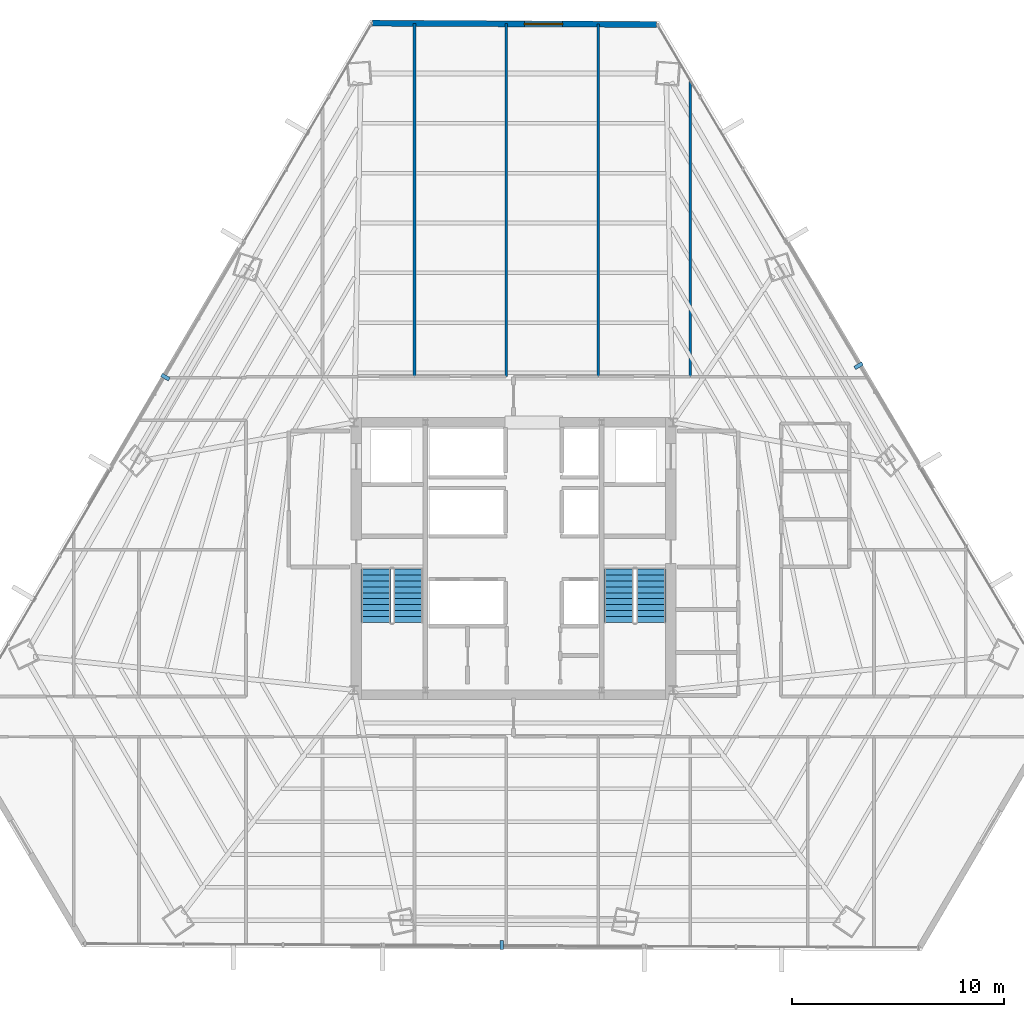
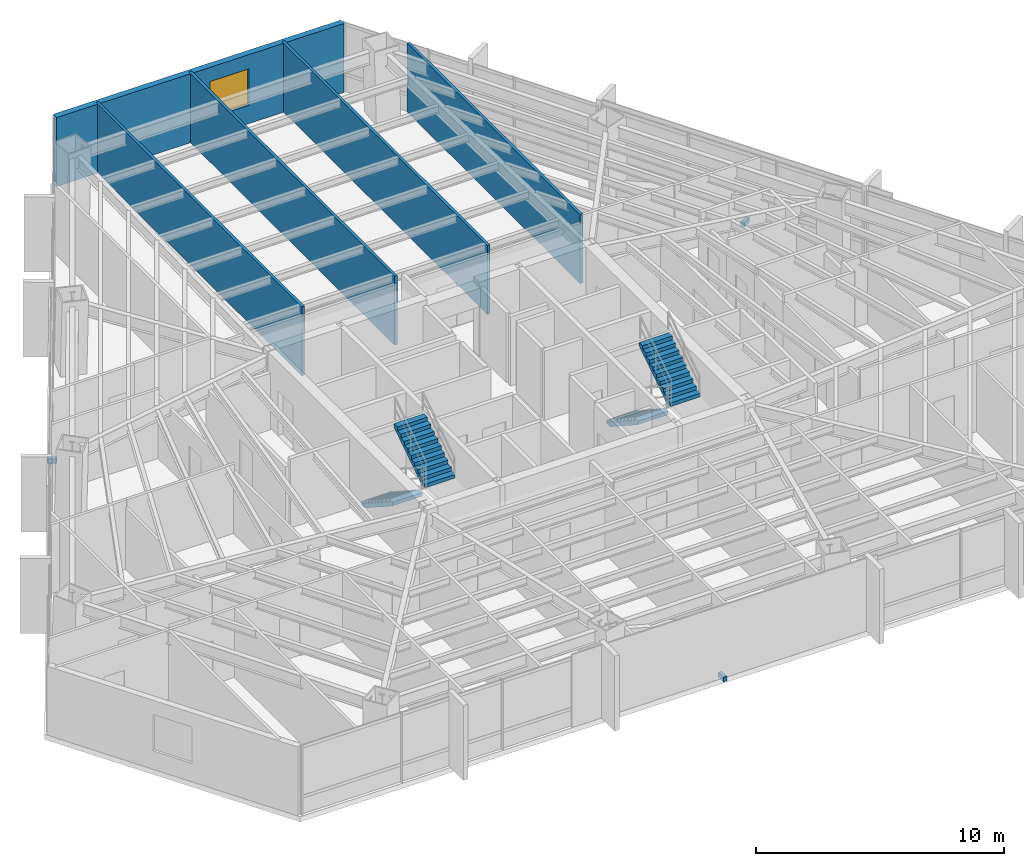
# One storey, part 33 of 36: 5 walls, 4 stair flights, 3 discrete accessories, 1 window, 1 opening, 2 elements without a shape of their own.
"""IFC4 building model written with IfcOpenShell, lengths in metres."""

from ifc_helpers import new_model, si_unit, direction, frame, frame_2d, origin, origin_2d, place, context, subcontext, project, spatial, polyline, rectangle, outline, extrude, source, transform, mapped, material, layer, layer_set, type_object, type_shapes, element, fill, aggregate, save


model = new_model("IFC4")

# Units and contexts
model_context = context("Model", 3, precision=1e-05, world=origin(), true_north=direction((0.0, 1.0)))
body_context = subcontext(model_context, "Body", "Model", "MODEL_VIEW")
ifc_project = project(units=[si_unit("LENGTHUNIT", "METRE"), si_unit("AREAUNIT", "SQUARE_METRE"), si_unit("VOLUMEUNIT", "CUBIC_METRE"), si_unit("PLANEANGLEUNIT", "RADIAN"), si_unit("MASSUNIT", "GRAM", prefix="KILO")], contexts=[model_context])

# Site, building, storey
site_placement = place(None, origin())
site = spatial("IfcSite", under=ifc_project, at=site_placement, CompositionType="ELEMENT")
building_placement = place(site_placement, origin())
building = spatial("IfcBuilding", under=site, at=building_placement, Name="Caelisora Broadcast Tower", CompositionType="ELEMENT")
storey_placement = place(building_placement, frame((0.0, 0.0, 112.699951171875)))
storey = spatial("IfcBuildingStorey", under=building, at=storey_placement, Name="L29", CompositionType="ELEMENT", Elevation=112.699951171875)

# Wall, opening, window
ifc_material_1 = material(Name="Insulated Terracotta Spandrel Wall System", Category="masonry")
ifc_layer_1 = layer(ifc_material_1, 0.280029296875, Name="Insulated Terracotta Spandrel Wall System")
ifc_layer_set_1 = layer_set([ifc_layer_1], Name="Insulated Terracotta Spandrel Wall System")
wall_type_1 = type_object("IfcWallType", Name="EW1", PredefinedType="STANDARD", material=ifc_layer_set_1)
wall_1_placement = place(storey_placement, frame((31.367919921875, 48.798828125, 0.0), z_axis=(0.0, 0.0, 1.0), x_axis=(0.99998899352, -0.0046917842, 0.0)))
wall_1 = element("IfcWall", 1, at=wall_1_placement, inside=storey, type_object=wall_type_1, Name="L29 exterior envelope wall EW1", PredefinedType="STANDARD", context=body_context, shape_type="SweptSolid", body=[
    extrude(rectangle(XDim=13.373291015625, YDim=0.280029296875, at=frame_2d((6.6865234375, 0.0))), origin(), (0.0, 0.0, 1.0), 3.400146484375),
])
opening_placement = place(wall_1_placement, frame((7.139892578125, 0.0, 0.89990234375)))
opening = element("IfcOpeningElement", 2, at=opening_placement, cuts=wall_1, Name="Opening W01", PredefinedType="OPENING", context=body_context, shape_type="SweptSolid", body=[
    extrude(rectangle(XDim=1.800048828125, YDim=1.800048828125, at=frame_2d((0.89990234375, 0.89990234375))), frame((0.0, 0.152099609375, 0.0), z_axis=(0.0, -1.0, 0.0), x_axis=(1.0, 0.0, 0.0)), (0.0, 0.0, 1.0), 0.303955078125),
])
ifc_material_2 = material(Name="Double Glazed Terracotta-Framed Vision Window", Category="glass")
window_type = type_object("IfcWindowType", Name="W01", PartitioningType="SINGLE_PANEL", PredefinedType="WINDOW", material=ifc_material_2)
window_placement = place(opening_placement, origin())
window = element("IfcWindow", 3, at=window_placement, inside=storey, type_object=window_type, Name="L29 window W01 (L29-WN-CH8)", OverallHeight=1.800048828125, OverallWidth=1.800048828125, PartitioningType="SINGLE_PANEL", PredefinedType="WINDOW", context=body_context, shape_type="SweptSolid", body=[
    extrude(rectangle(XDim=1.800048828125, YDim=1.800048828125, at=frame_2d((0.89990234375, 0.89990234375))), frame((0.0, 0.030029296875, 0.0), z_axis=(0.0, -1.0, 0.0), x_axis=(1.0, 0.0, 0.0)), (0.0, 0.0, 1.0), 0.06005859375),
])
fill(opening, window)

# Walls
ifc_material_3 = material(Name="Acoustic Steel-Stud Plasterboard Partition", Category="gypsum")
ifc_layer_2 = layer(ifc_material_3, 0.1298828125, Name="Acoustic Steel-Stud Plasterboard Partition")
ifc_layer_set_2 = layer_set([ifc_layer_2], Name="Acoustic Steel-Stud Plasterboard Partition")
wall_type_2 = type_object("IfcWallType", Name="PW3", PredefinedType="PARTITIONING", material=ifc_layer_set_2)
wall_2_placement = place(storey_placement, frame((33.340087890625, 32.155029296875, 0.0), z_axis=(0.0, 0.0, 1.0), x_axis=(0.0, 1.0, 0.0)))
element("IfcWall", 4, at=wall_2_placement, inside=storey, type_object=wall_type_2, Name="L29 internal partition PW3", PredefinedType="PARTITIONING", context=body_context, shape_type="SweptSolid", body=[
    extrude(rectangle(XDim=16.63916015625, YDim=0.1298828125, at=frame_2d((8.319580078125, 0.0))), origin(), (0.0, 0.0, 1.0), 3.400146484375),
])
wall_3_placement = place(storey_placement, frame((37.659912109375, 32.155029296875, 0.0), z_axis=(0.0, 0.0, 1.0), x_axis=(0.0, 1.0, 0.0)))
element("IfcWall", 5, at=wall_3_placement, inside=storey, type_object=wall_type_2, Name="L29 internal partition PW3", PredefinedType="PARTITIONING", context=body_context, shape_type="SweptSolid", body=[
    extrude(rectangle(XDim=16.619384765625, YDim=0.1298828125, at=frame_2d((8.3095703125, 0.0))), origin(), (0.0, 0.0, 1.0), 3.400146484375),
])
wall_4_placement = place(storey_placement, frame((41.989990234375, 32.155029296875, 0.0), z_axis=(0.0, 0.0, 1.0), x_axis=(0.0, 1.0, 0.0)))
element("IfcWall", 6, at=wall_4_placement, inside=storey, type_object=wall_type_2, Name="L29 internal partition PW3", PredefinedType="PARTITIONING", context=body_context, shape_type="SweptSolid", body=[
    extrude(rectangle(XDim=16.599365234375, YDim=0.1298828125, at=frame_2d((8.2998046875, 0.0))), origin(), (0.0, 0.0, 1.0), 3.400146484375),
])
wall_5_placement = place(storey_placement, frame((46.320068359375, 32.155029296875, 0.0), z_axis=(0.0, 0.0, 1.0), x_axis=(0.0, 1.0, 0.0)))
element("IfcWall", 7, at=wall_5_placement, inside=storey, type_object=wall_type_2, Name="L29 internal partition PW3", PredefinedType="PARTITIONING", context=body_context, shape_type="SweptSolid", body=[
    extrude(rectangle(XDim=13.9755859375, YDim=0.1298828125, at=frame_2d((6.98779296875, 0.0))), origin(), (0.0, 0.0, 1.0), 3.400146484375),
])

# Stair, stair flights
ifc_material_4 = material(Name="Concrete 40 MPa (AS 3600 N40)", Category="concrete")
stair_type_1 = type_object("IfcStairType", Name="ST-1", PredefinedType="HALF_TURN_STAIR", material=ifc_material_4)
stair_1_placement = place(storey_placement, origin())
stair_1 = element("IfcStair", 8, at=stair_1_placement, inside=storey, type_object=stair_type_1, Name="L29 West Fire-Isolated Tower Stair", PredefinedType="HALF_TURN_STAIR")
stair_flight_type = type_object("IfcStairFlightType", Name="STF-2", PredefinedType="STRAIGHT", material=ifc_material_4)
stair_flight_1_placement = place(storey_placement, frame((31.52001953125, 23.10009765625, 0.0), z_axis=(0.0, 0.0, 1.0), x_axis=(0.0, -1.0, 0.0)))
stair_flight_1 = element("IfcStairFlight", 9, at=stair_flight_1_placement, type_object=stair_flight_type, Name="ST-1 flight 1", NumberOfRisers=10, NumberOfTreads=9, PredefinedType="STRAIGHT", RiserHeight=0.1825, TreadLength=0.28, context=body_context, shape_type="SweptSolid", body=[
    extrude(outline(polyline([(0.0, 0.0), (0.0, 0.1826171875), (0.280029296875, 0.1826171875), (0.280029296875, 0.364990234375), (0.56005859375, 0.364990234375), (0.56005859375, 0.547607421875), (0.840087890625, 0.547607421875), (0.840087890625, 0.72998046875), (1.1201171875, 0.72998046875), (1.1201171875, 0.91259765625), (1.39990234375, 0.91259765625), (1.39990234375, 1.094970703125), (1.679931640625, 1.094970703125), (1.679931640625, 1.277587890625), (1.9599609375, 1.277587890625), (1.9599609375, 1.4599609375), (2.239990234375, 1.4599609375), (2.239990234375, 1.642578125), (2.52001953125, 1.642578125), (2.52001953125, 1.824951171875), (2.52001953125, 1.463623046875), (0.2744140625, 0.0), (0.0, 0.0)])), frame((0.0, 0.699951171875, 0.0), z_axis=(0.0, -1.0, 0.0), x_axis=(1.0, 0.0, 0.0)), (0.0, 0.0, 1.0), 1.39990234375),
])
stair_flight_2_placement = place(storey_placement, frame((33.0400390625, 20.580078125, 1.824951171875), z_axis=(0.0, 0.0, 1.0), x_axis=(0.0, 1.0, 0.0)))
stair_flight_2 = element("IfcStairFlight", 10, at=stair_flight_2_placement, type_object=stair_flight_type, Name="ST-1 flight 2", NumberOfRisers=10, NumberOfTreads=9, PredefinedType="STRAIGHT", RiserHeight=0.1825, TreadLength=0.28, context=body_context, shape_type="SweptSolid", body=[
    extrude(outline(polyline([(0.0, 0.0), (0.0, 0.1826171875), (0.280029296875, 0.1826171875), (0.280029296875, 0.364990234375), (0.56005859375, 0.364990234375), (0.56005859375, 0.547607421875), (0.840087890625, 0.547607421875), (0.840087890625, 0.72998046875), (1.1201171875, 0.72998046875), (1.1201171875, 0.91259765625), (1.39990234375, 0.91259765625), (1.39990234375, 1.094970703125), (1.679931640625, 1.094970703125), (1.679931640625, 1.277587890625), (1.9599609375, 1.277587890625), (1.9599609375, 1.4599609375), (2.239990234375, 1.4599609375), (2.239990234375, 1.642578125), (2.52001953125, 1.642578125), (2.52001953125, 1.824951171875), (2.52001953125, 1.463623046875), (0.2744140625, 0.0), (0.0, 0.0)])), frame((0.0, 0.699951171875, 0.0), z_axis=(0.0, -1.0, 0.0), x_axis=(1.0, 0.0, 0.0)), (0.0, 0.0, 1.0), 1.39990234375),
])
aggregate(stair_1, [stair_flight_1, stair_flight_2])

stair_type_2 = type_object("IfcStairType", Name="ST-2", PredefinedType="HALF_TURN_STAIR", material=ifc_material_4)
stair_2_placement = place(storey_placement, origin())
stair_2 = element("IfcStair", 11, at=stair_2_placement, inside=storey, type_object=stair_type_2, Name="L29 East Fire-Isolated Tower Stair", PredefinedType="HALF_TURN_STAIR")
stair_flight_3_placement = place(storey_placement, frame((42.9599609375, 23.10009765625, 0.0), z_axis=(0.0, 0.0, 1.0), x_axis=(0.0, -1.0, 0.0)))
stair_flight_3 = element("IfcStairFlight", 12, at=stair_flight_3_placement, type_object=stair_flight_type, Name="ST-2 flight 1", NumberOfRisers=10, NumberOfTreads=9, PredefinedType="STRAIGHT", RiserHeight=0.1825, TreadLength=0.28, context=body_context, shape_type="SweptSolid", body=[
    extrude(outline(polyline([(0.0, 0.0), (0.0, 0.1826171875), (0.280029296875, 0.1826171875), (0.280029296875, 0.364990234375), (0.56005859375, 0.364990234375), (0.56005859375, 0.547607421875), (0.840087890625, 0.547607421875), (0.840087890625, 0.72998046875), (1.1201171875, 0.72998046875), (1.1201171875, 0.91259765625), (1.39990234375, 0.91259765625), (1.39990234375, 1.094970703125), (1.679931640625, 1.094970703125), (1.679931640625, 1.277587890625), (1.9599609375, 1.277587890625), (1.9599609375, 1.4599609375), (2.239990234375, 1.4599609375), (2.239990234375, 1.642578125), (2.52001953125, 1.642578125), (2.52001953125, 1.824951171875), (2.52001953125, 1.463623046875), (0.2744140625, 0.0), (0.0, 0.0)])), frame((0.0, 0.699951171875, 0.0), z_axis=(0.0, -1.0, 0.0), x_axis=(1.0, 0.0, 0.0)), (0.0, 0.0, 1.0), 1.39990234375),
])
stair_flight_4_placement = place(storey_placement, frame((44.47998046875, 20.580078125, 1.824951171875), z_axis=(0.0, 0.0, 1.0), x_axis=(0.0, 1.0, 0.0)))
stair_flight_4 = element("IfcStairFlight", 13, at=stair_flight_4_placement, type_object=stair_flight_type, Name="ST-2 flight 2", NumberOfRisers=10, NumberOfTreads=9, PredefinedType="STRAIGHT", RiserHeight=0.1825, TreadLength=0.28, context=body_context, shape_type="SweptSolid", body=[
    extrude(outline(polyline([(0.0, 0.0), (0.0, 0.1826171875), (0.280029296875, 0.1826171875), (0.280029296875, 0.364990234375), (0.56005859375, 0.364990234375), (0.56005859375, 0.547607421875), (0.840087890625, 0.547607421875), (0.840087890625, 0.72998046875), (1.1201171875, 0.72998046875), (1.1201171875, 0.91259765625), (1.39990234375, 0.91259765625), (1.39990234375, 1.094970703125), (1.679931640625, 1.094970703125), (1.679931640625, 1.277587890625), (1.9599609375, 1.277587890625), (1.9599609375, 1.4599609375), (2.239990234375, 1.4599609375), (2.239990234375, 1.642578125), (2.52001953125, 1.642578125), (2.52001953125, 1.824951171875), (2.52001953125, 1.463623046875), (0.2744140625, 0.0), (0.0, 0.0)])), frame((0.0, 0.699951171875, 0.0), z_axis=(0.0, -1.0, 0.0), x_axis=(1.0, 0.0, 0.0)), (0.0, 0.0, 1.0), 1.39990234375),
])
aggregate(stair_2, [stair_flight_3, stair_flight_4])

# Discrete accessories
ifc_material_5 = material(Name="Steel Grade 350 (AS/NZS 3679.1)", Category="steel")
discrete_accessory_type = type_object("IfcDiscreteAccessoryType", Name="BRK-1", PredefinedType="BRACKET", material=ifc_material_5)
shared_shape = source(origin(), body_context, "Body", "SweptSolid", [
    extrude(rectangle(XDim=0.179931640625, YDim=0.419921875, at=origin_2d()), origin(), (0.0, 0.0, 1.0), 0.219970703125),
])
type_shapes(discrete_accessory_type, [shared_shape])
for number, where, z_axis, x_axis, name in (
    (14, (21.607421875, 32.132568359375, -0.16015625), (0.0, 0.0, 1.0), (-0.505582083675, -0.862778509623, 0.0), "L29 solar screen outrigger bracket #1"),
    (15, (37.44677734375, 5.39208984375, -0.16015625), (0.0, 0.0, 1.0), (0.999989703949, -0.004537840481, 0.0), "L29 solar screen outrigger bracket #2"),
    (16, (54.2490234375, 32.6708984375, -0.16015625), (0.0, 0.0, 1.0), (-0.509492029423, 0.860475375565, 0.0), "L29 solar screen outrigger bracket #3"),
):
    element("IfcDiscreteAccessory", number, at=place(storey_placement, frame(where, z_axis=z_axis, x_axis=x_axis)), inside=storey, type_object=discrete_accessory_type, Name=name, PredefinedType="BRACKET", context=body_context, shape_type="MappedRepresentation", body=[
        mapped(shared_shape, transform((0.0, 0.0, 0.0), scale=1.0)),
    ])

save(model, "model.ifc")
